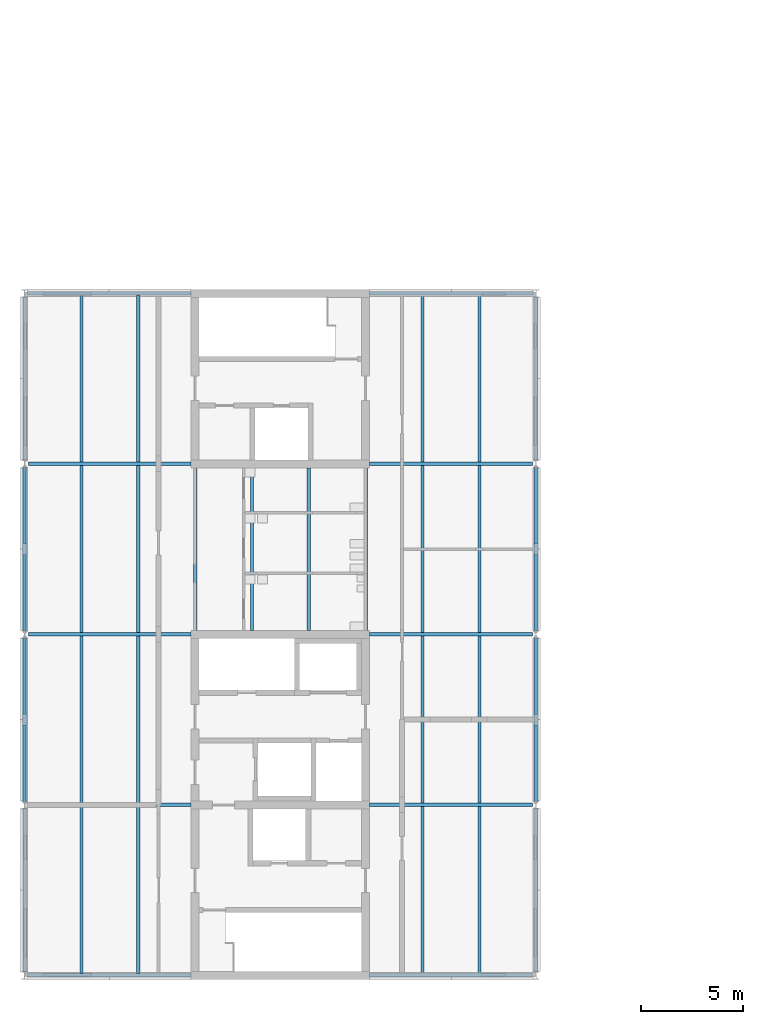
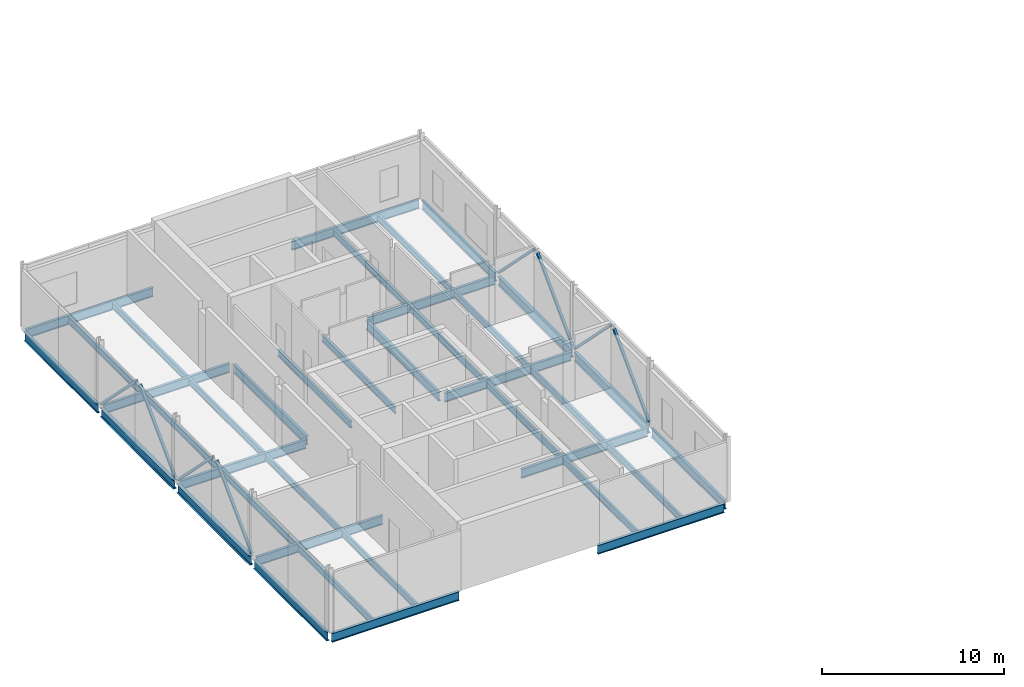
# One storey, part 4 of 26: 38 beams, 8 members.
"""IFC4 building model written with IfcOpenShell, lengths in metres."""

from ifc_helpers import new_model, si_unit, direction, frame, origin, origin_2d, place, context, subcontext, project, spatial, hollow_rectangle, i_section, extrude, material, material_profile, profile_set, type_object, element, save


model = new_model("IFC4")

# Units and contexts
model_context = context("Model", 3, precision=1e-05, world=origin(), true_north=direction((0.0, 1.0)))
body_context = subcontext(model_context, "Body", "Model", "MODEL_VIEW")
ifc_project = project(units=[si_unit("LENGTHUNIT", "METRE"), si_unit("AREAUNIT", "SQUARE_METRE"), si_unit("VOLUMEUNIT", "CUBIC_METRE"), si_unit("PLANEANGLEUNIT", "RADIAN"), si_unit("MASSUNIT", "GRAM", prefix="KILO")], contexts=[model_context])

# Site, building, storey
site_placement = place(None, origin())
site = spatial("IfcSite", under=ifc_project, at=site_placement, CompositionType="ELEMENT")
building_placement = place(site_placement, origin())
building = spatial("IfcBuilding", under=site, at=building_placement, Name="Hlaing Beacon Police Headquarters", CompositionType="ELEMENT")
storey_placement = place(building_placement, frame((0.0, 0.0, 23.39990234375)))
storey = spatial("IfcBuildingStorey", under=building, at=storey_placement, Name="L05", CompositionType="ELEMENT", Elevation=23.39990234375)

# Members
ifc_material_1 = material(Name="Steel ASTM A500 Grade C", Category="steel")
ifc_material_profile_1 = material_profile(ifc_material_1, hollow_rectangle(XDim=0.15234375, YDim=0.15234375, WallThickness=0.009521484375, at=origin_2d()), Name="HSS6x6x3/8")
ifc_profile_set_1 = profile_set([ifc_material_profile_1], Name="Steel ASTM A500 Grade C")
member_type = type_object("IfcMemberType", Name="Chevron brace HSS6x6x3/8", PredefinedType="BRACE", material=ifc_profile_set_1)
for number, where, z_axis, x_axis, name in (
    (1, (8.39990234375, 42.1298828125, 0.05419921875), (0.0, 0.704124468733, 0.710076568077), (-1.0, 0.0, 0.0), "STR-BR-L05-B6a"),
    (2, (8.39990234375, 50.27001953125, 0.05419921875), (0.0, -0.704124468733, 0.710076568077), (1.0, 0.0, 0.0), "STR-BR-L05-B6b"),
):
    element("IfcMember", number, at=place(storey_placement, frame(where, z_axis=z_axis, x_axis=x_axis)), inside=storey, type_object=member_type, Name=name, PredefinedType="BRACE", context=body_context, shape_type="SweptSolid", body=[
        extrude(hollow_rectangle(XDim=0.15234375, YDim=0.15234375, WallThickness=0.009521484375, at=origin_2d()), origin(), (0.0, 0.0, 1.0), 5.496337890625),
    ])
for number, where, z_axis, x_axis, name in (
    (3, (8.39990234375, 50.530029296875, 0.05419921875), (0.0, 0.70410207141, 0.710098776958), (-1.0, 0.0, 0.0), "STR-BR-L05-B7a"),
    (4, (8.39990234375, 58.669921875, 0.05419921875), (0.0, -0.70410207141, 0.710098776958), (1.0, 0.0, 0.0), "STR-BR-L05-B7b"),
):
    element("IfcMember", number, at=place(storey_placement, frame(where, z_axis=z_axis, x_axis=x_axis)), inside=storey, type_object=member_type, Name=name, PredefinedType="BRACE", context=body_context, shape_type="SweptSolid", body=[
        extrude(hollow_rectangle(XDim=0.15234375, YDim=0.15234375, WallThickness=0.009521484375, at=origin_2d()), origin(), (0.0, 0.0, 1.0), 5.49609375),
    ])
for number, where, z_axis, x_axis, name in (
    (5, (33.60009765625, 42.1298828125, 0.05419921875), (0.0, 0.704124468733, 0.710076568077), (-1.0, 0.0, 0.0), "STR-BR-L05-E6a"),
    (6, (33.60009765625, 50.27001953125, 0.05419921875), (0.0, -0.704124468733, 0.710076568077), (1.0, 0.0, 0.0), "STR-BR-L05-E6b"),
):
    element("IfcMember", number, at=place(storey_placement, frame(where, z_axis=z_axis, x_axis=x_axis)), inside=storey, type_object=member_type, Name=name, PredefinedType="BRACE", context=body_context, shape_type="SweptSolid", body=[
        extrude(hollow_rectangle(XDim=0.15234375, YDim=0.15234375, WallThickness=0.009521484375, at=origin_2d()), origin(), (0.0, 0.0, 1.0), 5.496337890625),
    ])
for number, where, z_axis, x_axis, name in (
    (7, (33.60009765625, 50.530029296875, 0.05419921875), (0.0, 0.70410207141, 0.710098776958), (-1.0, 0.0, 0.0), "STR-BR-L05-E7a"),
    (8, (33.60009765625, 58.669921875, 0.05419921875), (0.0, -0.70410207141, 0.710098776958), (1.0, 0.0, 0.0), "STR-BR-L05-E7b"),
):
    element("IfcMember", number, at=place(storey_placement, frame(where, z_axis=z_axis, x_axis=x_axis)), inside=storey, type_object=member_type, Name=name, PredefinedType="BRACE", context=body_context, shape_type="SweptSolid", body=[
        extrude(hollow_rectangle(XDim=0.15234375, YDim=0.15234375, WallThickness=0.009521484375, at=origin_2d()), origin(), (0.0, 0.0, 1.0), 5.49609375),
    ])

# Beams
ifc_material_2 = material(Name="Steel ASTM A992 Grade 50", Category="steel")
ifc_material_profile_2 = material_profile(ifc_material_2, i_section(OverallWidth=0.177978515625, OverallDepth=0.599365234375, WebThickness=0.010009765625, FlangeThickness=0.012939453125, FilletRadius=0.012939453125, at=origin_2d()), Name="W24x55")
ifc_profile_set_2 = profile_set([ifc_material_profile_2], Name="Steel ASTM A992 Grade 50")
beam_type_1 = type_object("IfcBeamType", Name="Girder W24x55", PredefinedType="BEAM", material=ifc_profile_set_2)
beam_1_placement = place(storey_placement, frame((8.527099609375, 33.60009765625, -0.4296875), z_axis=(1.0, 0.0, 0.0), x_axis=(0.0, 1.0, 0.0)))
element("IfcBeam", 9, at=beam_1_placement, inside=storey, type_object=beam_type_1, Name="STR-BM-L05-GX-B5-C5", PredefinedType="BEAM", context=body_context, shape_type="SweptSolid", body=[
    extrude(i_section(OverallWidth=0.177978515625, OverallDepth=0.599365234375, WebThickness=0.010009765625, FlangeThickness=0.012939453125, FilletRadius=0.012939453125, at=origin_2d()), origin(), (0.0, 0.0, 1.0), 8.072998046875),
])
for number, where, z_axis, x_axis, name in (
    (10, (25.39990234375, 33.60009765625, -0.4296875), (1.0, 0.0, 0.0), (0.0, 1.0, 0.0), "STR-BM-L05-GX-D5-E5"),
    (11, (8.5849609375, 42.0, -0.4296875), (1.0, 0.0, 0.0), (0.0, 1.0, 0.0), "STR-BM-L05-GX-B6-C6"),
    (12, (25.39990234375, 42.0, -0.4296875), (1.0, 0.0, 0.0), (0.0, 1.0, 0.0), "STR-BM-L05-GX-D6-E6"),
    (13, (8.5849609375, 50.39990234375, -0.4296875), (1.0, 0.0, 0.0), (0.0, 1.0, 0.0), "STR-BM-L05-GX-B7-C7"),
    (14, (25.39990234375, 50.39990234375, -0.4296875), (1.0, 0.0, 0.0), (0.0, 1.0, 0.0), "STR-BM-L05-GX-D7-E7"),
    (15, (8.5849609375, 58.800048828125, -0.4296875), (1.0, 0.0, 0.0), (0.0, 1.0, 0.0), "STR-BM-L05-GX-B8-C8"),
    (16, (25.39990234375, 58.800048828125, -0.4296875), (1.0, 0.0, 0.0), (0.0, 1.0, 0.0), "STR-BM-L05-GX-D8-E8"),
):
    element("IfcBeam", number, at=place(storey_placement, frame(where, z_axis=z_axis, x_axis=x_axis)), inside=storey, type_object=beam_type_1, Name=name, PredefinedType="BEAM", context=body_context, shape_type="SweptSolid", body=[
        extrude(i_section(OverallWidth=0.177978515625, OverallDepth=0.599365234375, WebThickness=0.010009765625, FlangeThickness=0.012939453125, FilletRadius=0.012939453125, at=origin_2d()), origin(), (0.0, 0.0, 1.0), 8.01513671875),
    ])
for number, where, z_axis, x_axis, name in (
    (17, (8.527099609375, 67.199951171875, -0.4296875), (1.0, 0.0, 0.0), (0.0, 1.0, 0.0), "STR-BM-L05-GX-B9-C9"),
    (18, (25.39990234375, 67.199951171875, -0.4296875), (1.0, 0.0, 0.0), (0.0, 1.0, 0.0), "STR-BM-L05-GX-D9-E9"),
):
    element("IfcBeam", number, at=place(storey_placement, frame(where, z_axis=z_axis, x_axis=x_axis)), inside=storey, type_object=beam_type_1, Name=name, PredefinedType="BEAM", context=body_context, shape_type="SweptSolid", body=[
        extrude(i_section(OverallWidth=0.177978515625, OverallDepth=0.599365234375, WebThickness=0.010009765625, FlangeThickness=0.012939453125, FilletRadius=0.012939453125, at=origin_2d()), origin(), (0.0, 0.0, 1.0), 8.072998046875),
    ])
for number, where, z_axis, x_axis, name in (
    (19, (8.39990234375, 33.777099609375, -0.4296875), (0.0, 1.0, 0.0), (-1.0, 0.0, 0.0), "STR-BM-L05-GY-B5-B6"),
    (20, (8.39990234375, 58.97998046875, -0.4296875), (0.0, 1.0, 0.0), (-1.0, 0.0, 0.0), "STR-BM-L05-GY-B8-B9"),
):
    element("IfcBeam", number, at=place(storey_placement, frame(where, z_axis=z_axis, x_axis=x_axis)), inside=storey, type_object=beam_type_1, Name=name, PredefinedType="BEAM", context=body_context, shape_type="SweptSolid", body=[
        extrude(i_section(OverallWidth=0.177978515625, OverallDepth=0.599365234375, WebThickness=0.010009765625, FlangeThickness=0.012939453125, FilletRadius=0.012939453125, at=origin_2d()), origin(), (0.0, 0.0, 1.0), 8.04296875),
    ])
for number, where, z_axis, x_axis, name in (
    (21, (16.800048828125, 50.60009765625, -0.4296875), (0.0, 1.0, 0.0), (-1.0, 0.0, 0.0), "STR-BM-L05-GY-C7-C8"),
    (22, (25.199951171875, 50.60009765625, -0.4296875), (0.0, 1.0, 0.0), (-1.0, 0.0, 0.0), "STR-BM-L05-GY-D7-D8"),
):
    element("IfcBeam", number, at=place(storey_placement, frame(where, z_axis=z_axis, x_axis=x_axis)), inside=storey, type_object=beam_type_1, Name=name, PredefinedType="BEAM", context=body_context, shape_type="SweptSolid", body=[
        extrude(i_section(OverallWidth=0.177978515625, OverallDepth=0.599365234375, WebThickness=0.010009765625, FlangeThickness=0.012939453125, FilletRadius=0.012939453125, at=origin_2d()), origin(), (0.0, 0.0, 1.0), 8.0),
    ])
beam_2_placement = place(storey_placement, frame((33.60009765625, 33.780029296875, -0.4296875), z_axis=(0.0, 1.0, 0.0), x_axis=(-1.0, 0.0, 0.0)))
element("IfcBeam", 23, at=beam_2_placement, inside=storey, type_object=beam_type_1, Name="STR-BM-L05-GY-E5-E6", PredefinedType="BEAM", context=body_context, shape_type="SweptSolid", body=[
    extrude(i_section(OverallWidth=0.177978515625, OverallDepth=0.599365234375, WebThickness=0.010009765625, FlangeThickness=0.012939453125, FilletRadius=0.012939453125, at=origin_2d()), origin(), (0.0, 0.0, 1.0), 8.0400390625),
])
beam_3_placement = place(storey_placement, frame((33.60009765625, 58.97998046875, -0.4296875), z_axis=(0.0, 1.0, 0.0), x_axis=(-1.0, 0.0, 0.0)))
element("IfcBeam", 24, at=beam_3_placement, inside=storey, type_object=beam_type_1, Name="STR-BM-L05-GY-E8-E9", PredefinedType="BEAM", context=body_context, shape_type="SweptSolid", body=[
    extrude(i_section(OverallWidth=0.177978515625, OverallDepth=0.599365234375, WebThickness=0.010009765625, FlangeThickness=0.012939453125, FilletRadius=0.012939453125, at=origin_2d()), origin(), (0.0, 0.0, 1.0), 8.04296875),
])
ifc_material_3 = material(Name="Steel ASTM A992 Grade 50", Category="steel")
ifc_material_profile_3 = material_profile(ifc_material_3, i_section(OverallWidth=0.228271484375, OverallDepth=0.607177734375, WebThickness=0.01123046875, FlangeThickness=0.017333984375, FilletRadius=0.0126953125, at=origin_2d()), Name="W24x76")
ifc_profile_set_3 = profile_set([ifc_material_profile_3], Name="Steel ASTM A992 Grade 50")
beam_type_2 = type_object("IfcBeamType", Name="Girder W24x76", PredefinedType="BEAM", material=ifc_profile_set_3)
for number, where, z_axis, x_axis, name in (
    (25, (8.39990234375, 42.179931640625, -0.433349609375), (0.0, 1.0, 0.0), (-1.0, 0.0, 0.0), "STR-BM-L05-GY-B6-B7"),
    (26, (8.39990234375, 50.580078125, -0.433349609375), (0.0, 1.0, 0.0), (-1.0, 0.0, 0.0), "STR-BM-L05-GY-B7-B8"),
    (27, (33.60009765625, 42.179931640625, -0.433349609375), (0.0, 1.0, 0.0), (-1.0, 0.0, 0.0), "STR-BM-L05-GY-E6-E7"),
    (28, (33.60009765625, 50.580078125, -0.433349609375), (0.0, 1.0, 0.0), (-1.0, 0.0, 0.0), "STR-BM-L05-GY-E7-E8"),
):
    element("IfcBeam", number, at=place(storey_placement, frame(where, z_axis=z_axis, x_axis=x_axis)), inside=storey, type_object=beam_type_2, Name=name, PredefinedType="BEAM", context=body_context, shape_type="SweptSolid", body=[
        extrude(i_section(OverallWidth=0.228271484375, OverallDepth=0.607177734375, WebThickness=0.01123046875, FlangeThickness=0.017333984375, FilletRadius=0.0126953125, at=origin_2d()), origin(), (0.0, 0.0, 1.0), 8.0400390625),
    ])
ifc_material_4 = material(Name="Steel ASTM A992 Grade 50", Category="steel")
ifc_material_profile_4 = material_profile(ifc_material_4, i_section(OverallWidth=0.15234375, OverallDepth=0.449462890625, WebThickness=0.007568359375, FlangeThickness=0.0107421875, FilletRadius=0.01025390625, at=origin_2d()), Name="W18x35")
ifc_profile_set_4 = profile_set([ifc_material_profile_4], Name="Steel ASTM A992 Grade 50")
beam_type_3 = type_object("IfcBeamType", Name="Secondary beam W18x35", PredefinedType="BEAM", material=ifc_profile_set_4)
for number, where, z_axis, x_axis, name in (
    (29, (11.199951171875, 33.68896484375, -0.354736328125), (0.0, 1.0, 0.0), (-1.0, 0.0, 0.0), "STR-BM-L05-SB-B5-y1"),
    (30, (14.0, 33.68896484375, -0.354736328125), (0.0, 1.0, 0.0), (-1.0, 0.0, 0.0), "STR-BM-L05-SB-B5-y2"),
    (31, (11.199951171875, 42.089111328125, -0.354736328125), (0.0, 1.0, 0.0), (-1.0, 0.0, 0.0), "STR-BM-L05-SB-B6-y1"),
    (32, (14.0, 42.089111328125, -0.354736328125), (0.0, 1.0, 0.0), (-1.0, 0.0, 0.0), "STR-BM-L05-SB-B6-y2"),
    (33, (11.199951171875, 50.489013671875, -0.354736328125), (0.0, 1.0, 0.0), (-1.0, 0.0, 0.0), "STR-BM-L05-SB-B7-y1"),
    (34, (14.0, 50.489013671875, -0.354736328125), (0.0, 1.0, 0.0), (-1.0, 0.0, 0.0), "STR-BM-L05-SB-B7-y2"),
):
    element("IfcBeam", number, at=place(storey_placement, frame(where, z_axis=z_axis, x_axis=x_axis)), inside=storey, type_object=beam_type_3, Name=name, PredefinedType="BEAM", context=body_context, shape_type="SweptSolid", body=[
        extrude(i_section(OverallWidth=0.15234375, OverallDepth=0.449462890625, WebThickness=0.007568359375, FlangeThickness=0.0107421875, FilletRadius=0.01025390625, at=origin_2d()), origin(), (0.0, 0.0, 1.0), 8.221923828125),
    ])
for number, where, z_axis, x_axis, name in (
    (35, (11.199951171875, 58.888916015625, -0.354736328125), (0.0, 1.0, 0.0), (-1.0, 0.0, 0.0), "STR-BM-L05-SB-B8-y1"),
    (36, (14.0, 58.888916015625, -0.354736328125), (0.0, 1.0, 0.0), (-1.0, 0.0, 0.0), "STR-BM-L05-SB-B8-y2"),
):
    element("IfcBeam", number, at=place(storey_placement, frame(where, z_axis=z_axis, x_axis=x_axis)), inside=storey, type_object=beam_type_3, Name=name, PredefinedType="BEAM", context=body_context, shape_type="SweptSolid", body=[
        extrude(i_section(OverallWidth=0.15234375, OverallDepth=0.449462890625, WebThickness=0.007568359375, FlangeThickness=0.0107421875, FilletRadius=0.01025390625, at=origin_2d()), origin(), (0.0, 0.0, 1.0), 8.22216796875),
    ])
for number, where, z_axis, x_axis, name in (
    (37, (19.60009765625, 50.60009765625, -0.354736328125), (0.0, 1.0, 0.0), (-1.0, 0.0, 0.0), "STR-BM-L05-SB-C7-y1"),
    (38, (22.39990234375, 50.60009765625, -0.354736328125), (0.0, 1.0, 0.0), (-1.0, 0.0, 0.0), "STR-BM-L05-SB-C7-y2"),
):
    element("IfcBeam", number, at=place(storey_placement, frame(where, z_axis=z_axis, x_axis=x_axis)), inside=storey, type_object=beam_type_3, Name=name, PredefinedType="BEAM", context=body_context, shape_type="SweptSolid", body=[
        extrude(i_section(OverallWidth=0.15234375, OverallDepth=0.449462890625, WebThickness=0.007568359375, FlangeThickness=0.0107421875, FilletRadius=0.01025390625, at=origin_2d()), origin(), (0.0, 0.0, 1.0), 8.0),
    ])
for number, where, z_axis, x_axis, name in (
    (39, (28.0, 33.68896484375, -0.354736328125), (0.0, 1.0, 0.0), (-1.0, 0.0, 0.0), "STR-BM-L05-SB-D5-y1"),
    (40, (30.800048828125, 33.68896484375, -0.354736328125), (0.0, 1.0, 0.0), (-1.0, 0.0, 0.0), "STR-BM-L05-SB-D5-y2"),
    (41, (28.0, 42.089111328125, -0.354736328125), (0.0, 1.0, 0.0), (-1.0, 0.0, 0.0), "STR-BM-L05-SB-D6-y1"),
    (42, (30.800048828125, 42.089111328125, -0.354736328125), (0.0, 1.0, 0.0), (-1.0, 0.0, 0.0), "STR-BM-L05-SB-D6-y2"),
    (43, (28.0, 50.489013671875, -0.354736328125), (0.0, 1.0, 0.0), (-1.0, 0.0, 0.0), "STR-BM-L05-SB-D7-y1"),
    (44, (30.800048828125, 50.489013671875, -0.354736328125), (0.0, 1.0, 0.0), (-1.0, 0.0, 0.0), "STR-BM-L05-SB-D7-y2"),
):
    element("IfcBeam", number, at=place(storey_placement, frame(where, z_axis=z_axis, x_axis=x_axis)), inside=storey, type_object=beam_type_3, Name=name, PredefinedType="BEAM", context=body_context, shape_type="SweptSolid", body=[
        extrude(i_section(OverallWidth=0.15234375, OverallDepth=0.449462890625, WebThickness=0.007568359375, FlangeThickness=0.0107421875, FilletRadius=0.01025390625, at=origin_2d()), origin(), (0.0, 0.0, 1.0), 8.221923828125),
    ])
for number, where, z_axis, x_axis, name in (
    (45, (28.0, 58.888916015625, -0.354736328125), (0.0, 1.0, 0.0), (-1.0, 0.0, 0.0), "STR-BM-L05-SB-D8-y1"),
    (46, (30.800048828125, 58.888916015625, -0.354736328125), (0.0, 1.0, 0.0), (-1.0, 0.0, 0.0), "STR-BM-L05-SB-D8-y2"),
):
    element("IfcBeam", number, at=place(storey_placement, frame(where, z_axis=z_axis, x_axis=x_axis)), inside=storey, type_object=beam_type_3, Name=name, PredefinedType="BEAM", context=body_context, shape_type="SweptSolid", body=[
        extrude(i_section(OverallWidth=0.15234375, OverallDepth=0.449462890625, WebThickness=0.007568359375, FlangeThickness=0.0107421875, FilletRadius=0.01025390625, at=origin_2d()), origin(), (0.0, 0.0, 1.0), 8.22216796875),
    ])

save(model, "model.ifc")
